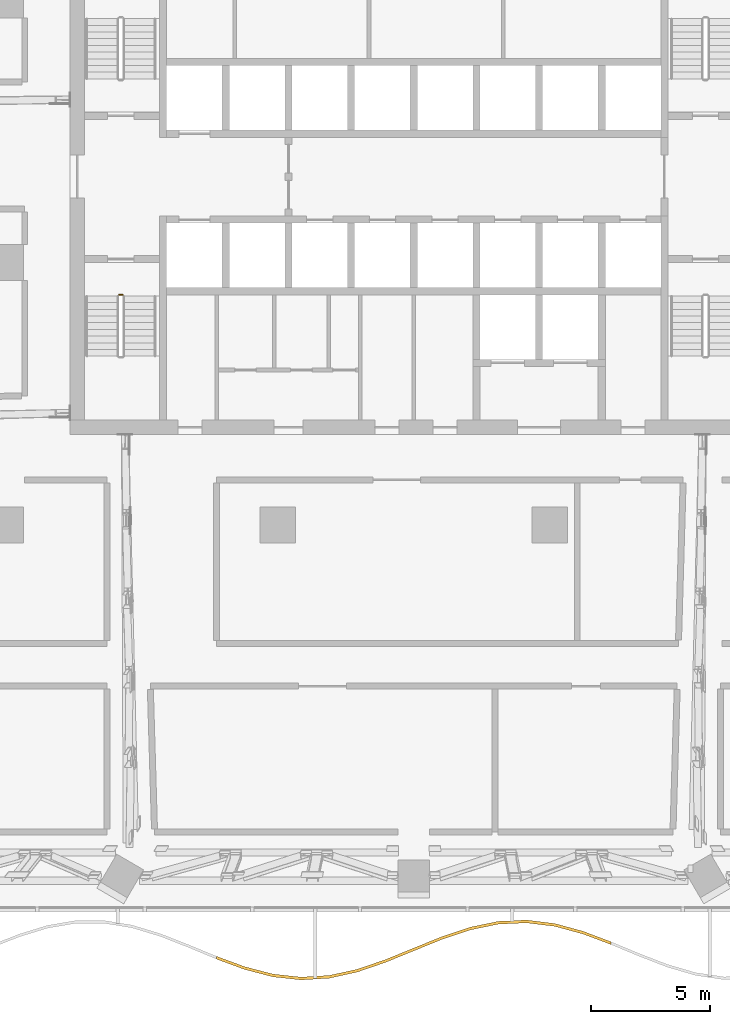
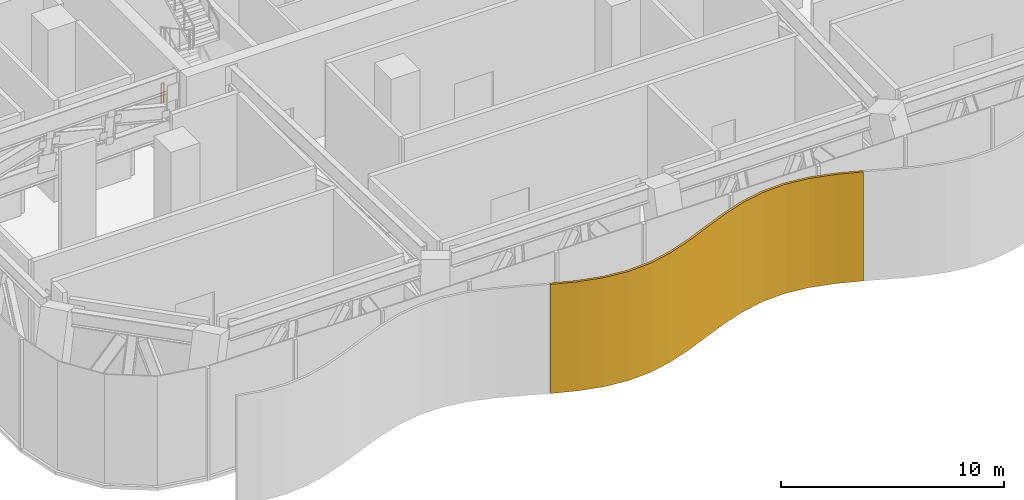
# One storey, part 27 of 32: 1 railing, 1 shading device.
"""IFC4 building model written with IfcOpenShell, lengths in metres."""

from ifc_helpers import new_model, si_unit, direction, frame, origin, origin_2d, place, context, subcontext, project, spatial, polyline, circle, outline, extrude, material, layer, layer_set, type_object, element, save


model = new_model("IFC4")

# Units and contexts
model_context = context("Model", 3, precision=1e-05, world=origin(), true_north=direction((0.0, 1.0)))
body_context = subcontext(model_context, "Body", "Model", "MODEL_VIEW")
ifc_project = project(units=[si_unit("LENGTHUNIT", "METRE"), si_unit("AREAUNIT", "SQUARE_METRE"), si_unit("VOLUMEUNIT", "CUBIC_METRE"), si_unit("PLANEANGLEUNIT", "RADIAN"), si_unit("MASSUNIT", "GRAM", prefix="KILO")], contexts=[model_context])

# Site, building, storey
site_placement = place(None, origin())
site = spatial("IfcSite", under=ifc_project, at=site_placement, CompositionType="ELEMENT")
building_placement = place(site_placement, origin())
building = spatial("IfcBuilding", under=site, at=building_placement, Name="Mopane Tessera Tower", CompositionType="ELEMENT")
storey_placement = place(building_placement, frame((0.0, 0.0, 88.60009765625)))
storey = spatial("IfcBuildingStorey", under=building, at=storey_placement, Name="L17", CompositionType="ELEMENT", Elevation=88.60009765625)

# Railing
ifc_material_1 = material(Name="Powder-coated steel balustrade", Category="steel")
railing_type = type_object("IfcRailingType", Name="Escape stair guard 1100 mm", PredefinedType="GUARDRAIL", material=ifc_material_1)
railing_placement = place(storey_placement, frame((-12.35009765625, -1.35009765625, 0.0)))
element("IfcRailing", 1, at=railing_placement, inside=storey, type_object=railing_type, Name="L17 ST1 stair guard 5", PredefinedType="GUARDRAIL", context=body_context, shape_type="SweptSolid", body=[
    extrude(circle(Radius=0.02392578125, at=origin_2d()), frame((0.0, 0.0, 1.076171875), z_axis=(1.0, 0.0, 0.0), x_axis=(0.0, 1.0, 0.0)), (0.0, 0.0, 1.0), 0.150146484375),
    extrude(circle(Radius=0.02099609375, at=origin_2d()), origin(), (0.0, 0.0, 1.0), 1.052001953125),
    extrude(circle(Radius=0.02099609375, at=origin_2d()), frame((0.150146484375, 0.0, 0.0)), (0.0, 0.0, 1.0), 1.052001953125),
])

# Shading device
ifc_material_2 = material(Name="Anodised aluminium louvre blades", Category="aluminium")
ifc_layer = layer(ifc_material_2, 0.1201171875)
ifc_layer_set = layer_set([ifc_layer], Name="Anodised aluminium louvre blades")
shading_device_type = type_object("IfcShadingDeviceType", Name="Wave louvre screen", PredefinedType="JALOUSIE", material=ifc_layer_set)
shading_device_placement = place(storey_placement, frame((0.0, 0.0, -0.420166015625)))
element("IfcShadingDevice", 2, at=shading_device_placement, inside=storey, type_object=shading_device_type, Name="e:lv:L17:S:1", PredefinedType="JALOUSIE", context=body_context, shape_type="SweptSolid", body=[
    extrude(outline(polyline([(-8.2666015625, -29.06396484375), (-7.085693359375, -29.499755859375), (-5.90478515625, -29.808349609375), (-4.723876953125, -29.937744140625), (-3.54296875, -29.86669921875), (-2.36181640625, -29.606689453125), (-1.180908203125, -29.201416015625), (0.0, -28.718994140625), (1.180908203125, -28.239990234375), (2.36181640625, -27.844970703125), (3.54296875, -27.599609375), (4.723876953125, -27.54541015625), (5.90478515625, -27.69140625), (7.085693359375, -28.012939453125), (8.2666015625, -28.45654296875), (8.2666015625, -28.576416015625), (7.085693359375, -28.133056640625), (5.90478515625, -27.8115234375), (4.723876953125, -27.66552734375), (3.54296875, -27.7197265625), (2.36181640625, -27.96484375), (1.180908203125, -28.360107421875), (0.0, -28.839111328125), (-1.180908203125, -29.321533203125), (-2.36181640625, -29.7265625), (-3.54296875, -29.986572265625), (-4.723876953125, -30.057861328125), (-5.90478515625, -29.92822265625), (-7.085693359375, -29.619873046875), (-8.2666015625, -29.18408203125), (-8.2666015625, -29.06396484375)])), origin(), (0.0, 0.0, 1.0), 5.969970703125),
])

save(model, "model.ifc")
